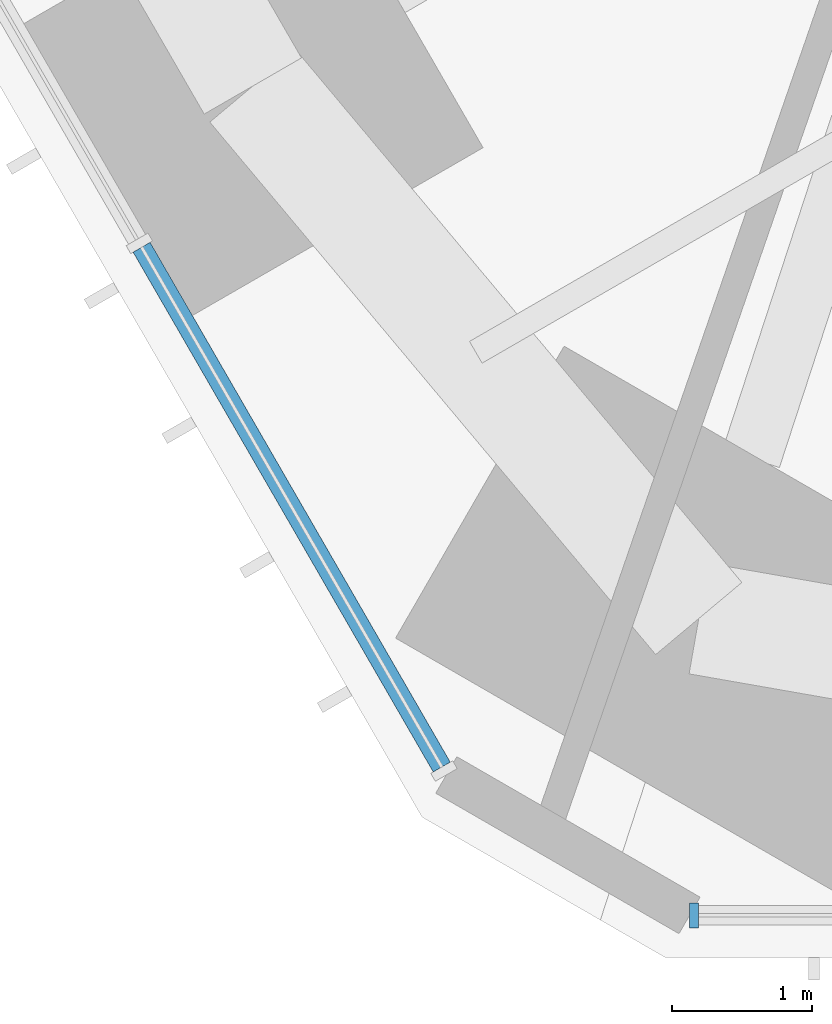
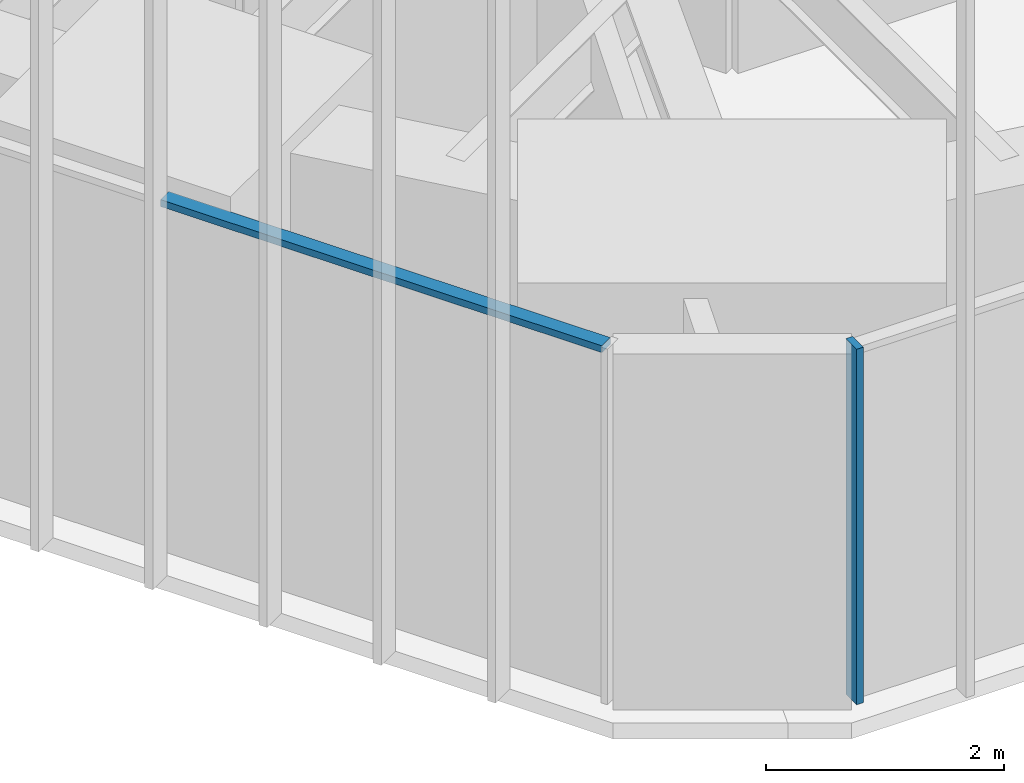
# One storey, part 19 of 256: 2 members, 2 elements without a shape of their own.
"""IFC4 building model written with IfcOpenShell, lengths in metres."""

from ifc_helpers import new_model, si_unit, direction, frame, origin, origin_2d, place, context, subcontext, project, spatial, rectangle, extrude, material, material_profile, profile_set, type_object, element, aggregate, save


model = new_model("IFC4")

# Units and contexts
model_context = context("Model", 3, precision=1e-05, world=origin(), true_north=direction((0.0, 1.0)))
body_context = subcontext(model_context, "Body", "Model", "MODEL_VIEW")
ifc_project = project(units=[si_unit("LENGTHUNIT", "METRE"), si_unit("AREAUNIT", "SQUARE_METRE"), si_unit("VOLUMEUNIT", "CUBIC_METRE"), si_unit("PLANEANGLEUNIT", "RADIAN"), si_unit("MASSUNIT", "GRAM", prefix="KILO")], contexts=[model_context])

# Site, building, storey
site_placement = place(None, origin())
site = spatial("IfcSite", under=ifc_project, at=site_placement, CompositionType="ELEMENT")
building_placement = place(site_placement, origin())
building = spatial("IfcBuilding", under=site, at=building_placement, Name="Sandreach Pilgrim Tower", CompositionType="ELEMENT")
storey_placement = place(building_placement, frame((0.0, 0.0, 23.0)))
storey = spatial("IfcBuildingStorey", under=building, at=storey_placement, Name="L04", CompositionType="ELEMENT", Elevation=23.0)

# Curtain wall, member
ifc_material_1 = material(Name="Aluminium framed curtain wall", Category="aluminium")
curtain_wall_type = type_object("IfcCurtainWallType", Name="Hostel tower curtain wall", PredefinedType="NOTDEFINED", material=ifc_material_1)
curtain_wall_1_placement = place(storey_placement, origin())
curtain_wall_1 = element("IfcCurtainWall", 1, at=curtain_wall_1_placement, inside=storey, type_object=curtain_wall_type, Name="CW-1 L04 S", PredefinedType="NOTDEFINED")
ifc_material_2 = material(Name="Aluminium extrusion", Category="aluminium")
ifc_material_profile_1 = material_profile(ifc_material_2, rectangle(XDim=0.06494140625, YDim=0.179931640625, at=origin_2d()), Name="CW-1M 65X180")
ifc_profile_set_1 = profile_set([ifc_material_profile_1], Name="Aluminium extrusion")
member_type_1 = type_object("IfcMemberType", Name="CW-1 mullion", PredefinedType="MULLION", material=ifc_profile_set_1)
member_1_placement = place(storey_placement, frame((-9.1396484375, -30.010986328125, 0.0), z_axis=(0.0, 0.0, 1.0), x_axis=(-1.0, 0.0, 0.0)))
member_1 = element("IfcMember", 2, at=member_1_placement, type_object=member_type_1, Name="CW-1 mullion 5", PredefinedType="MULLION", context=body_context, shape_type="SweptSolid", body=[
    extrude(rectangle(XDim=0.06494140625, YDim=0.179931640625, at=origin_2d()), origin(), (0.0, 0.0, 1.0), 3.639892578125),
])
aggregate(curtain_wall_1, [member_1])

curtain_wall_2_placement = place(storey_placement, origin())
curtain_wall_2 = element("IfcCurtainWall", 3, at=curtain_wall_2_placement, inside=storey, type_object=curtain_wall_type, Name="CW-1 L04 SW", PredefinedType="NOTDEFINED")
ifc_material_3 = material(Name="Aluminium extrusion", Category="aluminium")
ifc_material_profile_2 = material_profile(ifc_material_3, rectangle(XDim=0.139892578125, YDim=0.070068359375, at=origin_2d()), Name="CW-1T 140X70")
ifc_profile_set_2 = profile_set([ifc_material_profile_2], Name="Aluminium extrusion")
member_type_2 = type_object("IfcMemberType", Name="CW-1 transom", PredefinedType="USERDEFINED", material=ifc_profile_set_2)
member_2_placement = place(storey_placement, frame((-10.9365234375, -28.95458984375, 3.60498046875), z_axis=(-0.500033953635, 0.866005799756, 0.0), x_axis=(-0.866005799756, -0.500033953635, 0.0)))
member_2 = element("IfcMember", 4, at=member_2_placement, type_object=member_type_2, Name="CW-1 head transom 1", ObjectType="TRANSOM", PredefinedType="USERDEFINED", context=body_context, shape_type="SweptSolid", body=[
    extrude(rectangle(XDim=0.139892578125, YDim=0.070068359375, at=origin_2d()), origin(), (0.0, 0.0, 1.0), 4.274169921875),
])
aggregate(curtain_wall_2, [member_2])

save(model, "model.ifc")
